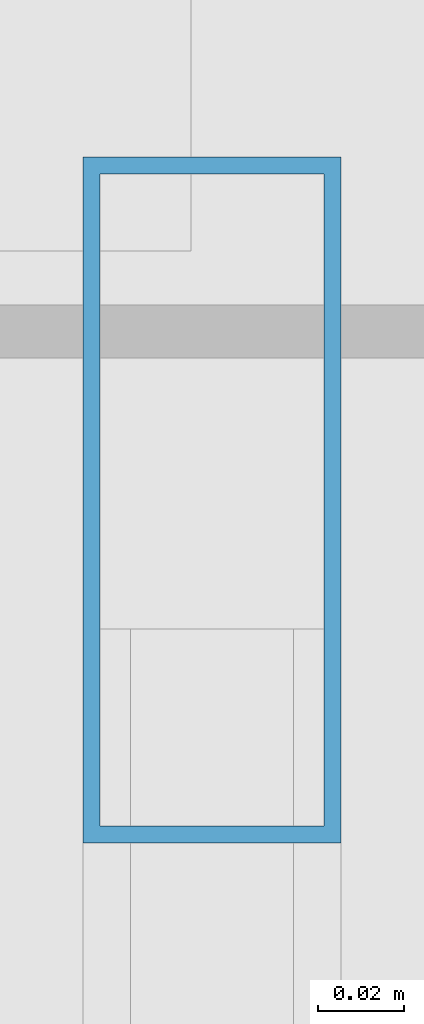
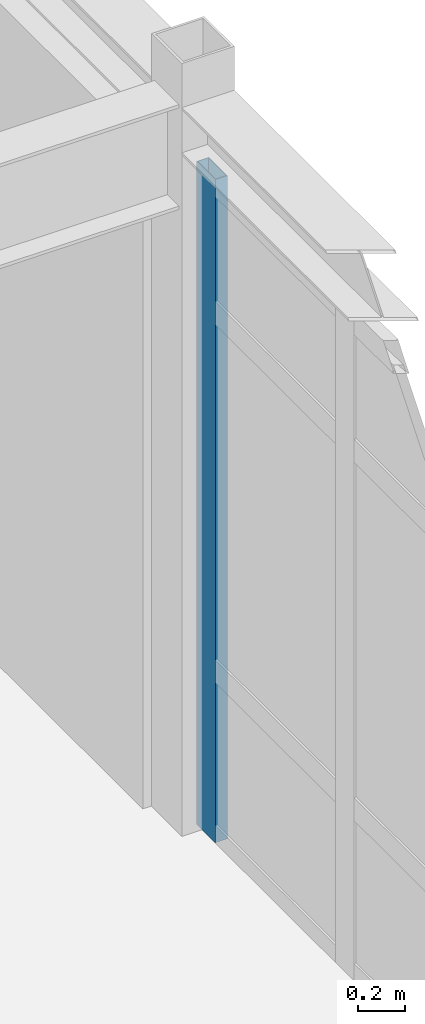
# One storey, part 66 of 189: 1 member, 1 element without a shape of its own.
"""IFC4 building model written with IfcOpenShell, lengths in metres."""

import ifcopenshell
import ifcopenshell.guid

model = None  # the IFC model being written
_history = None  # IfcOwnerHistory: only IFC2X3 demands one
_inside = {}  # id of a spatial element -> (the spatial element, [elements in it])
_under = {}  # id of a project, library or spatial element -> (it, [spatial elements below it])
_declared = {}  # id of a project -> (the project, [libraries it declares])
_typed = {}  # id of a type object -> (the type object, [elements of that type])
_made_of = {}  # id of a material, layer set ... -> (it, [elements and type objects made of it])


def new_model(schema):
    """Start an empty IFC model of exactly this schema.

    Asked for "IFC4X3", IfcOpenShell would pick the latest addendum, in which some entities
    have other attributes; the version numbers below select the first issue.
    IFC2X3 requires an IfcOwnerHistory on every rooted entity: one is made here for all.
    """
    global model, _history
    if schema == "IFC4X3":
        model = ifcopenshell.file(schema_version=(4, 3, 0, 0))
    else:
        model = ifcopenshell.file(schema=schema)
    _inside.clear()
    _under.clear()
    _declared.clear()
    _typed.clear()
    _made_of.clear()
    _history = None
    if model.schema == "IFC2X3":
        org = make("IfcOrganization", Name="unknown")
        user = make(
            "IfcPersonAndOrganization",
            ThePerson=make("IfcPerson", FamilyName="unknown"),
            TheOrganization=org,
        )
        app = make(
            "IfcApplication",
            ApplicationDeveloper=org,
            Version="unknown",
            ApplicationFullName="unknown",
            ApplicationIdentifier="unknown",
        )
        _history = make(
            "IfcOwnerHistory",
            OwningUser=user,
            OwningApplication=app,
            ChangeAction="ADDED",
            CreationDate=0,
        )
    return model


def make(cls, **values):
    """One entity of the class cls with the attributes given. An attribute that is None is left unset."""
    return model.create_entity(
        cls, **{name: value for name, value in values.items() if value is not None}
    )


def rooted(cls, **values):
    """An entity with a GlobalId (a new one), such as an element, a storey or a relation."""
    return make(cls, GlobalId=ifcopenshell.guid.new(), OwnerHistory=_history, **values)


def si_unit(unit_type, name, prefix=None):
    """IfcSIUnit, for example si_unit("LENGTHUNIT", "METRE", prefix="MILLI")."""
    return make("IfcSIUnit", UnitType=unit_type, Prefix=prefix, Name=name)


def assignment(units):
    """IfcUnitAssignment: the units of a project."""
    return None if units is None else make("IfcUnitAssignment", Units=units)


def point(xyz):
    """IfcCartesianPoint."""
    return None if xyz is None else make("IfcCartesianPoint", Coordinates=xyz)


def direction(xyz):
    """IfcDirection."""
    return None if xyz is None else make("IfcDirection", DirectionRatios=xyz)


def frame(location, z_axis=None, x_axis=None):
    """IfcAxis2Placement3D, a coordinate frame: its origin and axes. An axis left out is left unset."""
    return make(
        "IfcAxis2Placement3D",
        Location=point(location),
        Axis=direction(z_axis),
        RefDirection=direction(x_axis),
    )


def frame_2d(location, x_axis=None):
    """IfcAxis2Placement2D, a coordinate frame in the plane: its origin and x axis."""
    return make(
        "IfcAxis2Placement2D", Location=point(location), RefDirection=direction(x_axis)
    )


def origin():
    """The frame at (0, 0, 0) with its axes left unset."""
    return frame((0.0, 0.0, 0.0))


def origin_2d():
    """The frame at (0, 0) in the plane with its x axis left unset."""
    return frame_2d((0.0, 0.0))


def place(relative_to, where):
    """IfcLocalPlacement: puts the frame where relative to a parent placement (None: the world)."""
    return make(
        "IfcLocalPlacement", PlacementRelTo=relative_to, RelativePlacement=where
    )


def context(
    kind, dimensions, precision=None, world=None, true_north=None, identifier=None
):
    """IfcGeometricRepresentationContext, for example the 3D "Model" context."""
    return make(
        "IfcGeometricRepresentationContext",
        ContextIdentifier=identifier,
        ContextType=kind,
        CoordinateSpaceDimension=dimensions,
        Precision=precision,
        WorldCoordinateSystem=world,
        TrueNorth=true_north,
    )


def subcontext(parent, identifier, kind, view, scale=None):
    """IfcGeometricRepresentationSubContext, for example "Body" below "Model"."""
    return make(
        "IfcGeometricRepresentationSubContext",
        ContextIdentifier=identifier,
        ContextType=kind,
        ParentContext=parent,
        TargetScale=scale,
        TargetView=view,
    )


def project(units=None, contexts=None):
    """IfcProject with its units and contexts."""
    return rooted(
        "IfcProject",
        Name="project",
        RepresentationContexts=contexts,
        UnitsInContext=assignment(units),
    )


def spatial(cls, under=None, at=None, **own):
    """A site, building, storey or space (cls), placed at a placement, below another one or the project."""
    s = rooted(cls, ObjectPlacement=at, **own)
    if under is not None:
        _under.setdefault(under.id(), (under, []))[1].append(s)
    return s


def profile(cls, at=None, kind="AREA", **sizes):
    """A parametric profile (cls). Its sizes go by their IFC names, for example OverallWidth=200.0."""
    return make(cls, ProfileType=kind, Position=at, **sizes)


def hollow_rectangle(**sizes):
    """IfcRectangleHollowProfileDef."""
    return profile("IfcRectangleHollowProfileDef", **sizes)


def extrude(swept, where, along, depth):
    """IfcExtrudedAreaSolid: the profile swept, set in the frame where, extruded along a direction by depth."""
    return make(
        "IfcExtrudedAreaSolid",
        SweptArea=swept,
        Position=where,
        ExtrudedDirection=direction(along),
        Depth=depth,
    )


def shape(context_of_items, identifier, shape_type, items):
    """IfcShapeRepresentation: the items that make up one representation, for example the "Body"."""
    return make(
        "IfcShapeRepresentation",
        ContextOfItems=context_of_items,
        RepresentationIdentifier=identifier,
        RepresentationType=shape_type,
        Items=items,
    )


def material(Name=None, Category=None):
    """IfcMaterial."""
    return make("IfcMaterial", Name=Name, Category=Category)


def layer(
    of_material, thickness, ventilated=None, Name=None, Category=None, Priority=None
):
    """IfcMaterialLayer: one layer of a wall or slab, of a material (None: an air gap)."""
    return make(
        "IfcMaterialLayer",
        Material=of_material,
        LayerThickness=thickness,
        IsVentilated=ventilated,
        Name=Name,
        Category=Category,
        Priority=Priority,
    )


def layer_set(layers, Name=None):
    """IfcMaterialLayerSet."""
    return make("IfcMaterialLayerSet", MaterialLayers=layers, LayerSetName=Name)


def material_profile(
    of_material, cross_section, Name=None, Category=None, Priority=None
):
    """IfcMaterialProfile: a cross section and its material."""
    return make(
        "IfcMaterialProfile",
        Name=Name,
        Material=of_material,
        Profile=cross_section,
        Priority=Priority,
        Category=Category,
    )


def profile_set(profiles, Name=None, composite=None):
    """IfcMaterialProfileSet."""
    return make(
        "IfcMaterialProfileSet",
        Name=Name,
        MaterialProfiles=profiles,
        CompositeProfile=composite,
    )


def made_of(thing, what):
    """Note that an element or type object is made of a material, layer set ...; save() writes the relation."""
    if what is not None:
        _made_of.setdefault(what.id(), (what, []))[1].append(thing)
    return thing


def type_object(cls, material=None, **own):
    """A type object (cls), such as IfcWallType, which elements share."""
    return made_of(rooted(cls, **own), material)


def element(
    cls,
    number,
    at=None,
    inside=None,
    cuts=None,
    type_object=None,
    material=None,
    context=None,
    identifier="Body",
    shape_type=None,
    held_by="IfcProductDefinitionShape",
    body=None,
    shapes=None,
    **own,
):
    """One element of the class cls, such as IfcWall. Its Tag is "e" and its number.

    at: its placement. inside: the storey or other place that contains it. cuts: it is an
    opening in that element (IfcRelVoidsElement). A single representation is given by context,
    identifier, shape_type and body (its items); several are given by shapes. held_by: the class
    of the entity that holds the representations. save() writes the other relations.
    """
    e = rooted(cls, Tag="e%d" % number, ObjectPlacement=at, **own)
    if body is not None:
        shapes = [shape(context, identifier, shape_type, body)]
    if shapes is not None:
        e.Representation = make(held_by, Representations=shapes)
    if inside is not None:
        _inside.setdefault(inside.id(), (inside, []))[1].append(e)
    if cuts is not None:
        rooted(
            "IfcRelVoidsElement", RelatingBuildingElement=cuts, RelatedOpeningElement=e
        )
    if type_object is not None:
        _typed.setdefault(type_object.id(), (type_object, []))[1].append(e)
    return made_of(e, material)


def aggregate(whole, parts):
    """IfcRelAggregates: a whole, such as a stair, and the parts it consists of."""
    return rooted("IfcRelAggregates", RelatingObject=whole, RelatedObjects=parts)


def save(model, path):
    """Write the relations noted so far, then the file.

    IfcRelAggregates (storeys below a building ...), IfcRelContainedInSpatialStructure (elements
    in a storey), IfcRelDefinesByType, IfcRelAssociatesMaterial and IfcRelDeclares: one each for
    every whole, place, type object, material and project.
    """
    for whole, parts in _under.values():
        aggregate(whole, parts)
    for where, things in _inside.values():
        rooted(
            "IfcRelContainedInSpatialStructure",
            RelatedElements=things,
            RelatingStructure=where,
        )
    for kind, things in _typed.values():
        rooted("IfcRelDefinesByType", RelatedObjects=things, RelatingType=kind)
    for what, things in _made_of.values():
        rooted("IfcRelAssociatesMaterial", RelatedObjects=things, RelatingMaterial=what)
    for by, libraries in _declared.values():
        rooted("IfcRelDeclares", RelatingContext=by, RelatedDefinitions=libraries)
    model.write(path)


model = new_model("IFC4")

# Units and contexts
model_context = context("Model", 3, precision=1e-05, world=origin(), true_north=direction((0.0, 1.0)))
body_context = subcontext(model_context, "Body", "Model", "MODEL_VIEW")
ifc_project = project(units=[si_unit("LENGTHUNIT", "METRE"), si_unit("AREAUNIT", "SQUARE_METRE"), si_unit("VOLUMEUNIT", "CUBIC_METRE"), si_unit("PLANEANGLEUNIT", "RADIAN"), si_unit("MASSUNIT", "GRAM", prefix="KILO")], contexts=[model_context])

# Site, building, storey
site_placement = place(None, origin())
site = spatial("IfcSite", under=ifc_project, at=site_placement, CompositionType="ELEMENT")
building_placement = place(site_placement, origin())
building = spatial("IfcBuilding", under=site, at=building_placement, Name="Montecoro Central Library", CompositionType="ELEMENT")
storey_placement = place(building_placement, frame((0.0, 0.0, 9.179931640625)))
storey = spatial("IfcBuildingStorey", under=building, at=storey_placement, Name="L02", CompositionType="ELEMENT", Elevation=9.179931640625)

# Curtain wall, member
ifc_material_1 = material(Name="Bronze-anodised aluminium and low-E glazing", Category="aluminium")
ifc_layer = layer(ifc_material_1, 0.159912109375)
ifc_layer_set = layer_set([ifc_layer], Name="Bronze-anodised aluminium and low-E glazing")
curtain_wall_type = type_object("IfcCurtainWallType", Name="CWT-047", PredefinedType="NOTDEFINED", material=ifc_layer_set)
curtain_wall_placement = place(storey_placement, origin())
curtain_wall = element("IfcCurtainWall", 1, at=curtain_wall_placement, inside=storey, type_object=curtain_wall_type, Name="V4-L02-CW-E0", PredefinedType="NOTDEFINED")
ifc_material_2 = material(Name="Bronze-anodised aluminium", Category="aluminium")
ifc_material_profile = material_profile(ifc_material_2, hollow_rectangle(XDim=0.06005859375, YDim=0.159912109375, WallThickness=0.00390625, at=origin_2d()), Name="CWM 160x60x4.0")
ifc_profile_set = profile_set([ifc_material_profile], Name="Bronze-anodised aluminium")
member_type = type_object("IfcMemberType", Name="CWM-BRZ-60", PredefinedType="MULLION", material=ifc_profile_set)
member_placement = place(storey_placement, frame((43.0, 80.8369140625, 0.0), z_axis=(0.0, 0.0, 1.0), x_axis=(-1.0, 0.0, 0.0)))
member = element("IfcMember", 2, at=member_placement, type_object=member_type, Name="CW-047 mullion 7", PredefinedType="MULLION", context=body_context, shape_type="SweptSolid", body=[
    extrude(hollow_rectangle(XDim=0.06005859375, YDim=0.159912109375, WallThickness=0.00390625, at=origin_2d()), origin(), (0.0, 0.0, 1.0), 3.47998046875),
])
aggregate(curtain_wall, [member])

save(model, "model.ifc")
